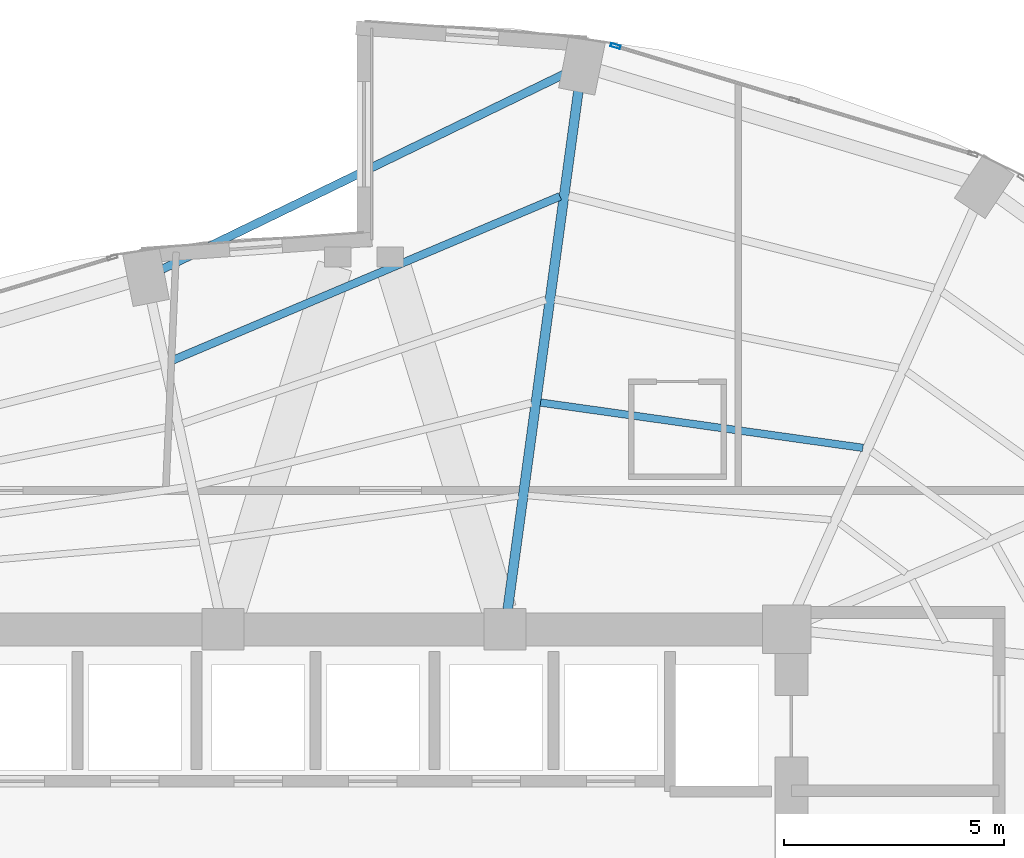
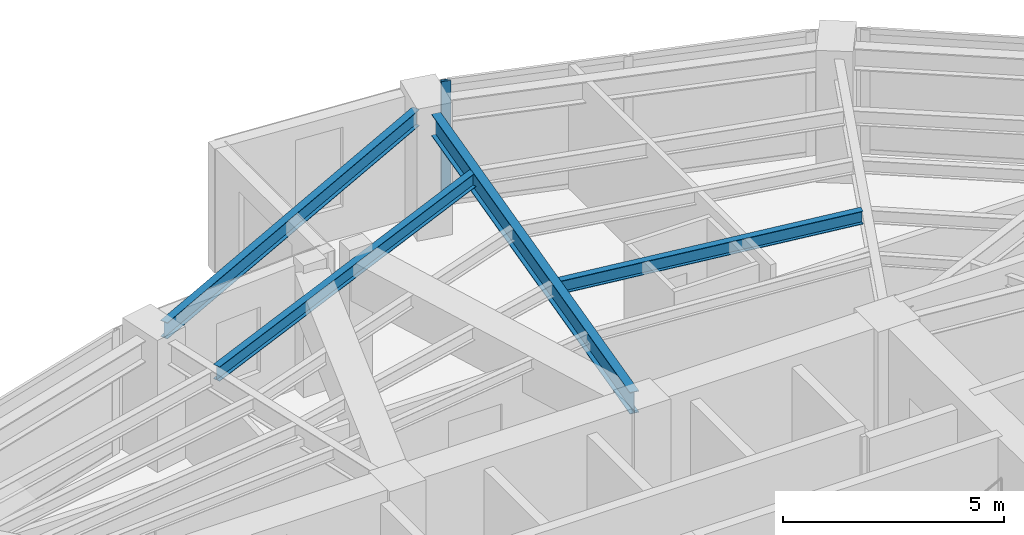
# One storey, part 16 of 24: 4 beams, 1 member, 1 element without a shape of its own.
"""IFC4 building model written with IfcOpenShell, lengths in metres."""

import ifcopenshell
import ifcopenshell.guid

model = None  # the IFC model being written
_history = None  # IfcOwnerHistory: only IFC2X3 demands one
_inside = {}  # id of a spatial element -> (the spatial element, [elements in it])
_under = {}  # id of a project, library or spatial element -> (it, [spatial elements below it])
_declared = {}  # id of a project -> (the project, [libraries it declares])
_typed = {}  # id of a type object -> (the type object, [elements of that type])
_made_of = {}  # id of a material, layer set ... -> (it, [elements and type objects made of it])


def new_model(schema):
    """Start an empty IFC model of exactly this schema.

    Asked for "IFC4X3", IfcOpenShell would pick the latest addendum, in which some entities
    have other attributes; the version numbers below select the first issue.
    IFC2X3 requires an IfcOwnerHistory on every rooted entity: one is made here for all.
    """
    global model, _history
    if schema == "IFC4X3":
        model = ifcopenshell.file(schema_version=(4, 3, 0, 0))
    else:
        model = ifcopenshell.file(schema=schema)
    _inside.clear()
    _under.clear()
    _declared.clear()
    _typed.clear()
    _made_of.clear()
    _history = None
    if model.schema == "IFC2X3":
        org = make("IfcOrganization", Name="unknown")
        user = make(
            "IfcPersonAndOrganization",
            ThePerson=make("IfcPerson", FamilyName="unknown"),
            TheOrganization=org,
        )
        app = make(
            "IfcApplication",
            ApplicationDeveloper=org,
            Version="unknown",
            ApplicationFullName="unknown",
            ApplicationIdentifier="unknown",
        )
        _history = make(
            "IfcOwnerHistory",
            OwningUser=user,
            OwningApplication=app,
            ChangeAction="ADDED",
            CreationDate=0,
        )
    return model


def make(cls, **values):
    """One entity of the class cls with the attributes given. An attribute that is None is left unset."""
    return model.create_entity(
        cls, **{name: value for name, value in values.items() if value is not None}
    )


def rooted(cls, **values):
    """An entity with a GlobalId (a new one), such as an element, a storey or a relation."""
    return make(cls, GlobalId=ifcopenshell.guid.new(), OwnerHistory=_history, **values)


def si_unit(unit_type, name, prefix=None):
    """IfcSIUnit, for example si_unit("LENGTHUNIT", "METRE", prefix="MILLI")."""
    return make("IfcSIUnit", UnitType=unit_type, Prefix=prefix, Name=name)


def assignment(units):
    """IfcUnitAssignment: the units of a project."""
    return None if units is None else make("IfcUnitAssignment", Units=units)


def point(xyz):
    """IfcCartesianPoint."""
    return None if xyz is None else make("IfcCartesianPoint", Coordinates=xyz)


def direction(xyz):
    """IfcDirection."""
    return None if xyz is None else make("IfcDirection", DirectionRatios=xyz)


def frame(location, z_axis=None, x_axis=None):
    """IfcAxis2Placement3D, a coordinate frame: its origin and axes. An axis left out is left unset."""
    return make(
        "IfcAxis2Placement3D",
        Location=point(location),
        Axis=direction(z_axis),
        RefDirection=direction(x_axis),
    )


def frame_2d(location, x_axis=None):
    """IfcAxis2Placement2D, a coordinate frame in the plane: its origin and x axis."""
    return make(
        "IfcAxis2Placement2D", Location=point(location), RefDirection=direction(x_axis)
    )


def origin():
    """The frame at (0, 0, 0) with its axes left unset."""
    return frame((0.0, 0.0, 0.0))


def origin_2d():
    """The frame at (0, 0) in the plane with its x axis left unset."""
    return frame_2d((0.0, 0.0))


def place(relative_to, where):
    """IfcLocalPlacement: puts the frame where relative to a parent placement (None: the world)."""
    return make(
        "IfcLocalPlacement", PlacementRelTo=relative_to, RelativePlacement=where
    )


def context(
    kind, dimensions, precision=None, world=None, true_north=None, identifier=None
):
    """IfcGeometricRepresentationContext, for example the 3D "Model" context."""
    return make(
        "IfcGeometricRepresentationContext",
        ContextIdentifier=identifier,
        ContextType=kind,
        CoordinateSpaceDimension=dimensions,
        Precision=precision,
        WorldCoordinateSystem=world,
        TrueNorth=true_north,
    )


def subcontext(parent, identifier, kind, view, scale=None):
    """IfcGeometricRepresentationSubContext, for example "Body" below "Model"."""
    return make(
        "IfcGeometricRepresentationSubContext",
        ContextIdentifier=identifier,
        ContextType=kind,
        ParentContext=parent,
        TargetScale=scale,
        TargetView=view,
    )


def project(units=None, contexts=None):
    """IfcProject with its units and contexts."""
    return rooted(
        "IfcProject",
        Name="project",
        RepresentationContexts=contexts,
        UnitsInContext=assignment(units),
    )


def spatial(cls, under=None, at=None, **own):
    """A site, building, storey or space (cls), placed at a placement, below another one or the project."""
    s = rooted(cls, ObjectPlacement=at, **own)
    if under is not None:
        _under.setdefault(under.id(), (under, []))[1].append(s)
    return s


def profile(cls, at=None, kind="AREA", **sizes):
    """A parametric profile (cls). Its sizes go by their IFC names, for example OverallWidth=200.0."""
    return make(cls, ProfileType=kind, Position=at, **sizes)


def hollow_rectangle(**sizes):
    """IfcRectangleHollowProfileDef."""
    return profile("IfcRectangleHollowProfileDef", **sizes)


def i_section(**sizes):
    """IfcIShapeProfileDef."""
    return profile("IfcIShapeProfileDef", **sizes)


def extrude(swept, where, along, depth):
    """IfcExtrudedAreaSolid: the profile swept, set in the frame where, extruded along a direction by depth."""
    return make(
        "IfcExtrudedAreaSolid",
        SweptArea=swept,
        Position=where,
        ExtrudedDirection=direction(along),
        Depth=depth,
    )


def shape(context_of_items, identifier, shape_type, items):
    """IfcShapeRepresentation: the items that make up one representation, for example the "Body"."""
    return make(
        "IfcShapeRepresentation",
        ContextOfItems=context_of_items,
        RepresentationIdentifier=identifier,
        RepresentationType=shape_type,
        Items=items,
    )


def material(Name=None, Category=None):
    """IfcMaterial."""
    return make("IfcMaterial", Name=Name, Category=Category)


def layer(
    of_material, thickness, ventilated=None, Name=None, Category=None, Priority=None
):
    """IfcMaterialLayer: one layer of a wall or slab, of a material (None: an air gap)."""
    return make(
        "IfcMaterialLayer",
        Material=of_material,
        LayerThickness=thickness,
        IsVentilated=ventilated,
        Name=Name,
        Category=Category,
        Priority=Priority,
    )


def layer_set(layers, Name=None):
    """IfcMaterialLayerSet."""
    return make("IfcMaterialLayerSet", MaterialLayers=layers, LayerSetName=Name)


def material_profile(
    of_material, cross_section, Name=None, Category=None, Priority=None
):
    """IfcMaterialProfile: a cross section and its material."""
    return make(
        "IfcMaterialProfile",
        Name=Name,
        Material=of_material,
        Profile=cross_section,
        Priority=Priority,
        Category=Category,
    )


def profile_set(profiles, Name=None, composite=None):
    """IfcMaterialProfileSet."""
    return make(
        "IfcMaterialProfileSet",
        Name=Name,
        MaterialProfiles=profiles,
        CompositeProfile=composite,
    )


def made_of(thing, what):
    """Note that an element or type object is made of a material, layer set ...; save() writes the relation."""
    if what is not None:
        _made_of.setdefault(what.id(), (what, []))[1].append(thing)
    return thing


def type_object(cls, material=None, **own):
    """A type object (cls), such as IfcWallType, which elements share."""
    return made_of(rooted(cls, **own), material)


def element(
    cls,
    number,
    at=None,
    inside=None,
    cuts=None,
    type_object=None,
    material=None,
    context=None,
    identifier="Body",
    shape_type=None,
    held_by="IfcProductDefinitionShape",
    body=None,
    shapes=None,
    **own,
):
    """One element of the class cls, such as IfcWall. Its Tag is "e" and its number.

    at: its placement. inside: the storey or other place that contains it. cuts: it is an
    opening in that element (IfcRelVoidsElement). A single representation is given by context,
    identifier, shape_type and body (its items); several are given by shapes. held_by: the class
    of the entity that holds the representations. save() writes the other relations.
    """
    e = rooted(cls, Tag="e%d" % number, ObjectPlacement=at, **own)
    if body is not None:
        shapes = [shape(context, identifier, shape_type, body)]
    if shapes is not None:
        e.Representation = make(held_by, Representations=shapes)
    if inside is not None:
        _inside.setdefault(inside.id(), (inside, []))[1].append(e)
    if cuts is not None:
        rooted(
            "IfcRelVoidsElement", RelatingBuildingElement=cuts, RelatedOpeningElement=e
        )
    if type_object is not None:
        _typed.setdefault(type_object.id(), (type_object, []))[1].append(e)
    return made_of(e, material)


def aggregate(whole, parts):
    """IfcRelAggregates: a whole, such as a stair, and the parts it consists of."""
    return rooted("IfcRelAggregates", RelatingObject=whole, RelatedObjects=parts)


def save(model, path):
    """Write the relations noted so far, then the file.

    IfcRelAggregates (storeys below a building ...), IfcRelContainedInSpatialStructure (elements
    in a storey), IfcRelDefinesByType, IfcRelAssociatesMaterial and IfcRelDeclares: one each for
    every whole, place, type object, material and project.
    """
    for whole, parts in _under.values():
        aggregate(whole, parts)
    for where, things in _inside.values():
        rooted(
            "IfcRelContainedInSpatialStructure",
            RelatedElements=things,
            RelatingStructure=where,
        )
    for kind, things in _typed.values():
        rooted("IfcRelDefinesByType", RelatedObjects=things, RelatingType=kind)
    for what, things in _made_of.values():
        rooted("IfcRelAssociatesMaterial", RelatedObjects=things, RelatingMaterial=what)
    for by, libraries in _declared.values():
        rooted("IfcRelDeclares", RelatingContext=by, RelatedDefinitions=libraries)
    model.write(path)


model = new_model("IFC4")

# Units and contexts
model_context = context("Model", 3, precision=1e-05, world=origin(), true_north=direction((0.0, 1.0)))
body_context = subcontext(model_context, "Body", "Model", "MODEL_VIEW")
ifc_project = project(units=[si_unit("LENGTHUNIT", "METRE"), si_unit("AREAUNIT", "SQUARE_METRE"), si_unit("VOLUMEUNIT", "CUBIC_METRE"), si_unit("PLANEANGLEUNIT", "RADIAN"), si_unit("MASSUNIT", "GRAM", prefix="KILO")], contexts=[model_context])

# Site, building, storey
site_placement = place(None, origin())
site = spatial("IfcSite", under=ifc_project, at=site_placement, CompositionType="ELEMENT")
building_placement = place(site_placement, origin())
building = spatial("IfcBuilding", under=site, at=building_placement, Name="Lazwardi Medical Tower", CompositionType="ELEMENT")
storey_placement = place(building_placement, frame((0.0, 0.0, 114.575927734375)))
storey = spatial("IfcBuildingStorey", under=building, at=storey_placement, Name="L29", CompositionType="ELEMENT", Elevation=114.575927734375)

# Beams
ifc_material_1 = material(Name="Steel S355", Category="steel")
ifc_material_profile_1 = material_profile(ifc_material_1, i_section(OverallWidth=0.219970703125, OverallDepth=0.60009765625, WebThickness=0.011962890625, FlangeThickness=0.01904296875, at=origin_2d()), Name="IPE 600")
ifc_profile_set_1 = profile_set([ifc_material_profile_1], Name="Steel S355")
beam_type_1 = type_object("IfcBeamType", Name="BM-RG-W1", PredefinedType="BEAM", material=ifc_profile_set_1)
beam_1_placement = place(storey_placement, frame((40.8671875, 47.82275390625, 3.128173828125), z_axis=(-0.135147148002, -0.990825538825, 0.0), x_axis=(0.990825538825, -0.135147148002, 0.0)))
element("IfcBeam", 1, at=beam_1_placement, inside=storey, type_object=beam_type_1, Name="Radial girder RG-02 R08 L29", PredefinedType="BEAM", context=body_context, shape_type="SweptSolid", body=[
    extrude(i_section(OverallWidth=0.219970703125, OverallDepth=0.60009765625, WebThickness=0.011962890625, FlangeThickness=0.01904296875, at=origin_2d()), origin(), (0.0, 0.0, 1.0), 11.875732421875),
])
ifc_material_profile_2 = material_profile(ifc_material_1, i_section(OverallWidth=0.179931640625, OverallDepth=0.39990234375, WebThickness=0.008544921875, FlangeThickness=0.013427734375, at=origin_2d()), Name="IPE 400")
ifc_profile_set_2 = profile_set([ifc_material_profile_2], Name="Steel S355")
beam_type_2 = type_object("IfcBeamType", Name="BM-SJ-01", PredefinedType="JOIST", material=ifc_profile_set_2)
beam_2_placement = place(storey_placement, frame((40.449462890625, 45.428466796875, 3.22802734375), z_axis=(-0.920947307957, -0.389687125739, 0.0), x_axis=(0.389687125739, -0.920947307957, 0.0)))
element("IfcBeam", 2, at=beam_2_placement, inside=storey, type_object=beam_type_2, Name="Secondary joist SJ-01 R1 B08 L29", PredefinedType="JOIST", context=body_context, shape_type="SweptSolid", body=[
    extrude(i_section(OverallWidth=0.179931640625, OverallDepth=0.39990234375, WebThickness=0.008544921875, FlangeThickness=0.013427734375, at=origin_2d()), origin(), (0.0, 0.0, 1.0), 9.63134765625),
])
ifc_material_profile_3 = material_profile(ifc_material_1, i_section(OverallWidth=0.169921875, OverallDepth=0.360107421875, WebThickness=0.008056640625, FlangeThickness=0.0126953125, at=origin_2d()), Name="IPE 360")
ifc_profile_set_3 = profile_set([ifc_material_profile_3], Name="Steel S355")
beam_type_3 = type_object("IfcBeamType", Name="BM-SJ-02", PredefinedType="JOIST", material=ifc_profile_set_3)
beam_3_placement = place(storey_placement, frame((47.32568359375, 39.718994140625, 3.248046875), z_axis=(-0.990260920731, 0.139223952222, 0.0), x_axis=(-0.139223952222, -0.990260920731, 0.0)))
element("IfcBeam", 3, at=beam_3_placement, inside=storey, type_object=beam_type_3, Name="Secondary joist SJ-02 R3 B07 L29", PredefinedType="JOIST", context=body_context, shape_type="SweptSolid", body=[
    extrude(i_section(OverallWidth=0.169921875, OverallDepth=0.360107421875, WebThickness=0.008056640625, FlangeThickness=0.0126953125, at=origin_2d()), origin(), (0.0, 0.0, 1.0), 7.3896484375),
])
ifc_material_profile_4 = material_profile(ifc_material_1, i_section(OverallWidth=0.18994140625, OverallDepth=0.449951171875, WebThickness=0.009521484375, FlangeThickness=0.0146484375, at=origin_2d()), Name="IPE 450")
ifc_profile_set_4 = profile_set([ifc_material_profile_4], Name="Steel S355")
beam_type_4 = type_object("IfcBeamType", Name="BM-SP-01", PredefinedType="SPANDREL", material=ifc_profile_set_4)
beam_4_placement = place(storey_placement, frame((40.57666015625, 48.218505859375, 3.203125), z_axis=(-0.899653336227, -0.436604941125, 0.0), x_axis=(0.436604941125, -0.899653336227, 0.0)))
element("IfcBeam", 4, at=beam_4_placement, inside=storey, type_object=beam_type_4, Name="Spandrel beam SP-01 B08 L29", PredefinedType="SPANDREL", context=body_context, shape_type="SweptSolid", body=[
    extrude(i_section(OverallWidth=0.18994140625, OverallDepth=0.449951171875, WebThickness=0.009521484375, FlangeThickness=0.0146484375, at=origin_2d()), origin(), (0.0, 0.0, 1.0), 10.17431640625),
])

# Curtain wall, member
ifc_material_2 = material(Name="Anodised bronze aluminium and solar control glazing", Category="aluminium")
ifc_layer = layer(ifc_material_2, 0.195068359375)
ifc_layer_set = layer_set([ifc_layer], Name="Anodised bronze aluminium and solar control glazing")
curtain_wall_type = type_object("IfcCurtainWallType", Name="CW-SYS-03", PredefinedType="NOTDEFINED", material=ifc_layer_set)
curtain_wall_placement = place(storey_placement, origin())
curtain_wall = element("IfcCurtainWall", 5, at=curtain_wall_placement, inside=storey, type_object=curtain_wall_type, Name="L29 Unitised bronze curtain wall CW-03", PredefinedType="NOTDEFINED")
ifc_material_3 = material(Name="Anodised bronze aluminium", Category="aluminium")
ifc_material_profile_5 = material_profile(ifc_material_3, hollow_rectangle(XDim=0.074951171875, YDim=0.219970703125, WallThickness=0.00390625, at=origin_2d()), Name="ALU-MULLION 220x75x4")
ifc_profile_set_5 = profile_set([ifc_material_profile_5], Name="Anodised bronze aluminium")
member_type = type_object("IfcMemberType", Name="CW-MUL-01", PredefinedType="MULLION", material=ifc_profile_set_5)
member_placement = place(storey_placement, frame((41.710205078125, 48.840087890625, 0.0), z_axis=(0.0, 0.0, 1.0), x_axis=(-0.28937381157, -0.957216170558, 0.0)))
member = element("IfcMember", 6, at=member_placement, type_object=member_type, Name="CW-03 mullion 3", PredefinedType="MULLION", context=body_context, shape_type="SweptSolid", body=[
    extrude(hollow_rectangle(XDim=0.074951171875, YDim=0.219970703125, WallThickness=0.00390625, at=origin_2d()), origin(), (0.0, 0.0, 1.0), 3.427978515625),
])
aggregate(curtain_wall, [member])

save(model, "model.ifc")
